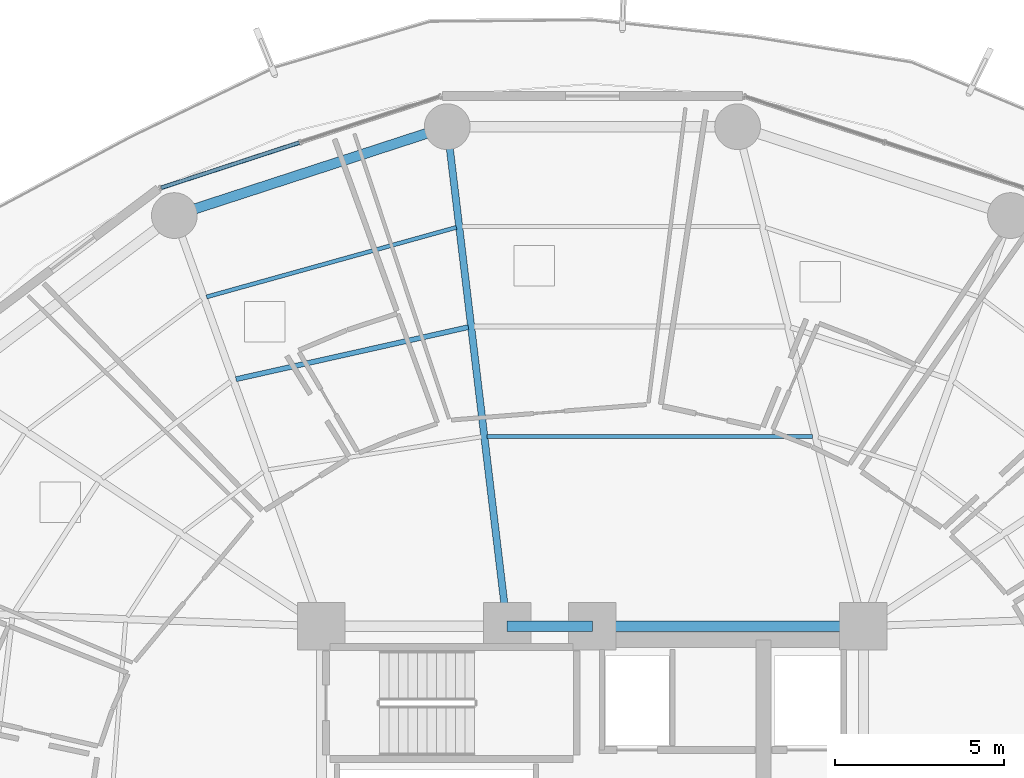
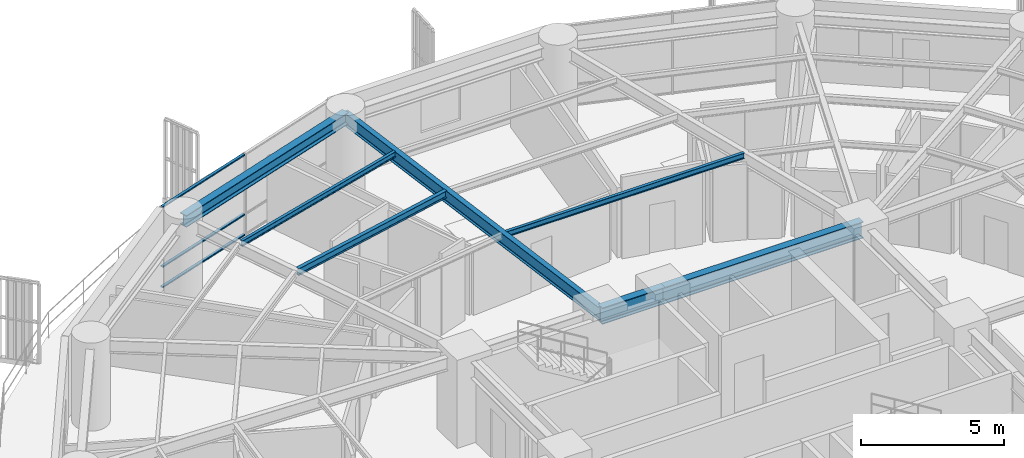
# One storey, part 18 of 34: 7 beams, 3 members, 1 element without a shape of its own.
"""IFC4 building model written with IfcOpenShell, lengths in metres."""

from ifc_helpers import new_model, si_unit, direction, frame, origin, origin_2d, place, context, subcontext, project, spatial, hollow_rectangle, i_section, extrude, material, layer, layer_set, material_profile, profile_set, type_object, element, aggregate, save


model = new_model("IFC4")

# Units and contexts
model_context = context("Model", 3, precision=1e-05, world=origin(), true_north=direction((0.0, 1.0)))
body_context = subcontext(model_context, "Body", "Model", "MODEL_VIEW")
ifc_project = project(units=[si_unit("LENGTHUNIT", "METRE"), si_unit("AREAUNIT", "SQUARE_METRE"), si_unit("VOLUMEUNIT", "CUBIC_METRE"), si_unit("PLANEANGLEUNIT", "RADIAN"), si_unit("MASSUNIT", "GRAM", prefix="KILO")], contexts=[model_context])

# Site, building, storey
site_placement = place(None, origin())
site = spatial("IfcSite", under=ifc_project, at=site_placement, CompositionType="ELEMENT")
building_placement = place(site_placement, origin())
building = spatial("IfcBuilding", under=site, at=building_placement, Name="Kelanora Arch Commons", CompositionType="ELEMENT")
storey_placement = place(building_placement, frame((0.0, 0.0, 76.35009765625)))
storey = spatial("IfcBuildingStorey", under=building, at=storey_placement, Name="L19", CompositionType="ELEMENT", Elevation=76.35009765625)

# Beams
ifc_material_1 = material(Name="Steel S355", Category="steel")
ifc_material_profile_1 = material_profile(ifc_material_1, i_section(OverallWidth=0.300048828125, OverallDepth=0.699951171875, WebThickness=0.01708984375, FlangeThickness=0.031982421875, FilletRadius=0.027099609375, at=origin_2d()), Name="HEB700")
ifc_profile_set_1 = profile_set([ifc_material_profile_1], Name="Steel S355")
beam_type_1 = type_object("IfcBeamType", Name="BM-CORE-HDR", PredefinedType="BEAM", material=ifc_profile_set_1)
beam_1_placement = place(storey_placement, frame((82.0, 65.0, 3.139892578125), z_axis=(-1.0, 0.0, 0.0), x_axis=(0.0, -1.0, 0.0)))
element("IfcBeam", 1, at=beam_1_placement, inside=storey, type_object=beam_type_1, Name="Core Header Beam 05 L19", PredefinedType="BEAM", context=body_context, shape_type="SweptSolid", body=[
    extrude(i_section(OverallWidth=0.300048828125, OverallDepth=0.699951171875, WebThickness=0.01708984375, FlangeThickness=0.031982421875, FilletRadius=0.027099609375, at=origin_2d()), origin(), (0.0, 0.0, 1.0), 8.0),
])
beam_2_placement = place(storey_placement, frame((74.0, 65.0, 3.139892578125), z_axis=(-1.0, 0.0, 0.0), x_axis=(0.0, -1.0, 0.0)))
element("IfcBeam", 2, at=beam_2_placement, inside=storey, type_object=beam_type_1, Name="Core Header Beam 06 L19", PredefinedType="BEAM", context=body_context, shape_type="SweptSolid", body=[
    extrude(i_section(OverallWidth=0.300048828125, OverallDepth=0.699951171875, WebThickness=0.01708984375, FlangeThickness=0.031982421875, FilletRadius=0.027099609375, at=origin_2d()), origin(), (0.0, 0.0, 1.0), 2.52001953125),
])
ifc_material_profile_2 = material_profile(ifc_material_1, i_section(OverallWidth=0.14990234375, OverallDepth=0.300048828125, WebThickness=0.007080078125, FlangeThickness=0.0107421875, FilletRadius=0.014892578125, at=origin_2d()), Name="IPE300")
ifc_profile_set_2 = profile_set([ifc_material_profile_2], Name="Steel S355")
beam_type_2 = type_object("IfcBeamType", Name="BM-JST-01", PredefinedType="JOIST", material=ifc_profile_set_2)
beam_3_placement = place(storey_placement, frame((70.337646484375, 73.828125, 3.33984375), z_axis=(-0.975817048791, -0.218588854449, 0.0), x_axis=(0.218588854449, -0.975817048791, 0.0)))
element("IfcBeam", 3, at=beam_3_placement, inside=storey, type_object=beam_type_2, Name="Secondary Chord Joist BJB-10 L19", PredefinedType="JOIST", context=body_context, shape_type="SweptSolid", body=[
    extrude(i_section(OverallWidth=0.14990234375, OverallDepth=0.300048828125, WebThickness=0.007080078125, FlangeThickness=0.0107421875, FilletRadius=0.014892578125, at=origin_2d()), origin(), (0.0, 0.0, 1.0), 7.028564453125),
])
ifc_material_profile_3 = material_profile(ifc_material_1, i_section(OverallWidth=0.1201171875, OverallDepth=0.239990234375, WebThickness=0.006103515625, FlangeThickness=0.009765625, FilletRadius=0.014892578125, at=origin_2d()), Name="IPE240")
ifc_profile_set_3 = profile_set([ifc_material_profile_3], Name="Steel S355")
beam_type_3 = type_object("IfcBeamType", Name="BM-JST-02", PredefinedType="JOIST", material=ifc_profile_set_3)
beam_4_placement = place(storey_placement, frame((80.50341796875, 70.602783203125, 3.369873046875), z_axis=(-1.0, 0.0, 0.0), x_axis=(0.0, -1.0, 0.0)))
element("IfcBeam", 4, at=beam_4_placement, inside=storey, type_object=beam_type_3, Name="Secondary Chord Joist BJA-08 L19", PredefinedType="JOIST", context=body_context, shape_type="SweptSolid", body=[
    extrude(i_section(OverallWidth=0.1201171875, OverallDepth=0.239990234375, WebThickness=0.006103515625, FlangeThickness=0.009765625, FilletRadius=0.014892578125, at=origin_2d()), origin(), (0.0, 0.0, 1.0), 9.609375),
])
beam_5_placement = place(storey_placement, frame((69.985595703125, 76.77294921875, 3.369873046875), z_axis=(-0.963385760896, -0.268119144603, 0.0), x_axis=(0.268119144603, -0.963385760896, 0.0)))
element("IfcBeam", 5, at=beam_5_placement, inside=storey, type_object=beam_type_3, Name="Secondary Chord Joist BJC-10 L19", PredefinedType="JOIST", context=body_context, shape_type="SweptSolid", body=[
    extrude(i_section(OverallWidth=0.1201171875, OverallDepth=0.239990234375, WebThickness=0.006103515625, FlangeThickness=0.009765625, FilletRadius=0.014892578125, at=origin_2d()), origin(), (0.0, 0.0, 1.0), 7.656005859375),
])
ifc_material_profile_4 = material_profile(ifc_material_1, i_section(OverallWidth=0.2099609375, OverallDepth=0.550048828125, WebThickness=0.010986328125, FlangeThickness=0.01708984375, FilletRadius=0.02392578125, at=origin_2d()), Name="IPE550")
ifc_profile_set_4 = profile_set([ifc_material_profile_4], Name="Steel S355")
beam_type_4 = type_object("IfcBeamType", Name="BM-RAD-Z2", PredefinedType="BEAM", material=ifc_profile_set_4)
beam_6_placement = place(storey_placement, frame((71.47998046875, 65.0, 3.21484375), z_axis=(-0.118897572414, 0.992906524943, 0.0), x_axis=(-0.992906524943, -0.118897572414, 0.0)))
element("IfcBeam", 6, at=beam_6_placement, inside=storey, type_object=beam_type_4, Name="Radial Floor Girder BR-10 L19", PredefinedType="BEAM", context=body_context, shape_type="SweptSolid", body=[
    extrude(i_section(OverallWidth=0.2099609375, OverallDepth=0.550048828125, WebThickness=0.010986328125, FlangeThickness=0.01708984375, FilletRadius=0.02392578125, at=origin_2d()), origin(), (0.0, 0.0, 1.0), 14.849853515625),
])
ifc_material_profile_5 = material_profile(ifc_material_1, i_section(OverallWidth=0.300048828125, OverallDepth=0.5, WebThickness=0.014404296875, FlangeThickness=0.028076171875, FilletRadius=0.027099609375, at=origin_2d()), Name="HEB500")
ifc_profile_set_5 = profile_set([ifc_material_profile_5], Name="Steel S355")
beam_type_5 = type_object("IfcBeamType", Name="BM-SPN-Z2", PredefinedType="SPANDREL", material=ifc_profile_set_5)
beam_7_placement = place(storey_placement, frame((69.71435546875, 79.74462890625, 3.239990234375), z_axis=(-0.950856631974, -0.309631499418, 0.0), x_axis=(0.309631499418, -0.950856631974, 0.0)))
element("IfcBeam", 7, at=beam_7_placement, inside=storey, type_object=beam_type_5, Name="Perimeter Spandrel Beam BS-10 L19", PredefinedType="SPANDREL", context=body_context, shape_type="SweptSolid", body=[
    extrude(i_section(OverallWidth=0.300048828125, OverallDepth=0.5, WebThickness=0.014404296875, FlangeThickness=0.028076171875, FilletRadius=0.027099609375, at=origin_2d()), origin(), (0.0, 0.0, 1.0), 8.470703125),
])

# Curtain wall, members
ifc_material_2 = material(Name="Terracotta ceramic-fritted low-E glass and aluminium", Category="masonry")
ifc_layer = layer(ifc_material_2, 0.159912109375)
ifc_layer_set = layer_set([ifc_layer], Name="Terracotta ceramic-fritted low-E glass and aluminium")
curtain_wall_type = type_object("IfcCurtainWallType", Name="CW-SYS-01", PredefinedType="NOTDEFINED", material=ifc_layer_set)
curtain_wall_placement = place(storey_placement, origin())
curtain_wall = element("IfcCurtainWall", 8, at=curtain_wall_placement, inside=storey, type_object=curtain_wall_type, Name="Unitised Curtain Wall L19-B05", PredefinedType="NOTDEFINED")
ifc_material_3 = material(Name="Powder-coated aluminium terracotta", Category="masonry")
ifc_material_profile_6 = material_profile(ifc_material_3, hollow_rectangle(XDim=0.1201171875, YDim=0.06005859375, WallThickness=0.0048828125, InnerFilletRadius=0.0048828125, OuterFilletRadius=0.010009765625, at=origin_2d()), Name="CWT120x60")
ifc_profile_set_6 = profile_set([ifc_material_profile_6], Name="Powder-coated aluminium terracotta")
member_type = type_object("IfcMemberType", Name="CWT-STD", PredefinedType="USERDEFINED", material=ifc_profile_set_6)
member_1_placement = place(storey_placement, frame((65.348876953125, 79.275390625, 0.02978515625), z_axis=(-0.950466230394, -0.310827838008, 0.0), x_axis=(0.310827838008, -0.950466230394, 0.0)))
member_1 = element("IfcMember", 9, at=member_1_placement, type_object=member_type, Name="CW-01 transom 2.1", ObjectType="TRANSOM", PredefinedType="USERDEFINED", context=body_context, shape_type="SweptSolid", body=[
    extrude(hollow_rectangle(XDim=0.1201171875, YDim=0.06005859375, WallThickness=0.0048828125, InnerFilletRadius=0.0048828125, OuterFilletRadius=0.010009765625, at=origin_2d()), origin(), (0.0, 0.0, 1.0), 4.2900390625),
])
member_2_placement = place(storey_placement, frame((65.348876953125, 79.275390625, 0.89990234375), z_axis=(-0.950466230394, -0.310827838008, 0.0), x_axis=(0.310827838008, -0.950466230394, 0.0)))
member_2 = element("IfcMember", 10, at=member_2_placement, type_object=member_type, Name="CW-01 transom 2.2", ObjectType="TRANSOM", PredefinedType="USERDEFINED", context=body_context, shape_type="SweptSolid", body=[
    extrude(hollow_rectangle(XDim=0.1201171875, YDim=0.06005859375, WallThickness=0.0048828125, InnerFilletRadius=0.0048828125, OuterFilletRadius=0.010009765625, at=origin_2d()), origin(), (0.0, 0.0, 1.0), 4.2900390625),
])
member_3_placement = place(storey_placement, frame((65.348876953125, 79.275390625, 3.44482421875), z_axis=(-0.950466230394, -0.310827838008, 0.0), x_axis=(0.310827838008, -0.950466230394, 0.0)))
member_3 = element("IfcMember", 11, at=member_3_placement, type_object=member_type, Name="CW-01 transom 2.3", ObjectType="TRANSOM", PredefinedType="USERDEFINED", context=body_context, shape_type="SweptSolid", body=[
    extrude(hollow_rectangle(XDim=0.1201171875, YDim=0.06005859375, WallThickness=0.0048828125, InnerFilletRadius=0.0048828125, OuterFilletRadius=0.010009765625, at=origin_2d()), origin(), (0.0, 0.0, 1.0), 4.2900390625),
])
aggregate(curtain_wall, [member_1, member_2, member_3])

save(model, "model.ifc")
